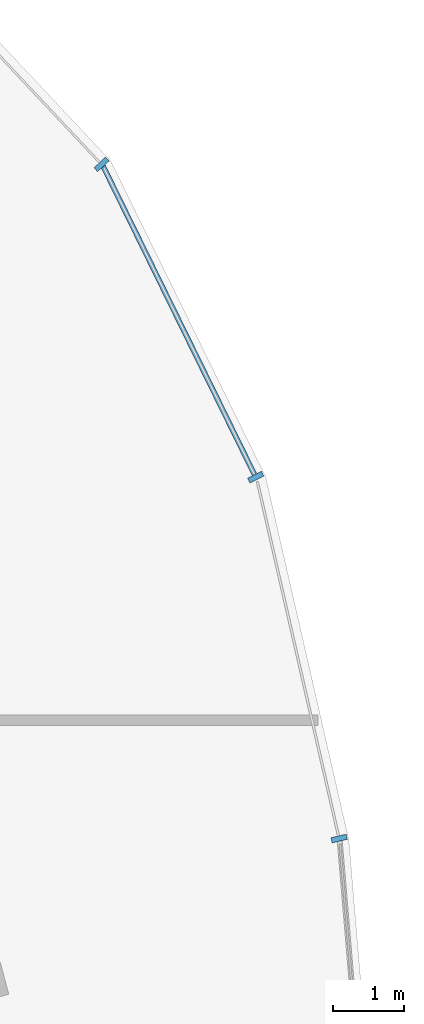
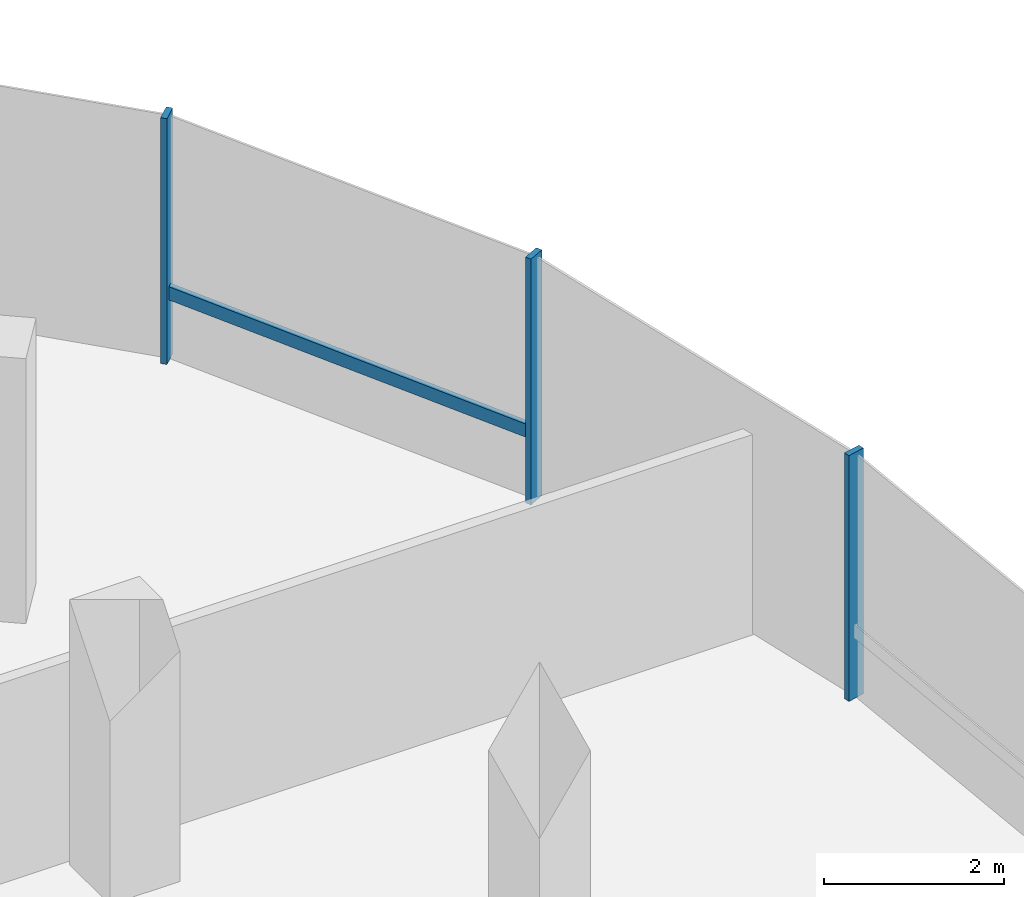
# One storey, part 11 of 25: 4 members, 1 element without a shape of its own.
"""IFC4 building model written with IfcOpenShell, lengths in metres."""

import ifcopenshell
import ifcopenshell.guid

model = None  # the IFC model being written
_history = None  # IfcOwnerHistory: only IFC2X3 demands one
_inside = {}  # id of a spatial element -> (the spatial element, [elements in it])
_under = {}  # id of a project, library or spatial element -> (it, [spatial elements below it])
_declared = {}  # id of a project -> (the project, [libraries it declares])
_typed = {}  # id of a type object -> (the type object, [elements of that type])
_made_of = {}  # id of a material, layer set ... -> (it, [elements and type objects made of it])


def new_model(schema):
    """Start an empty IFC model of exactly this schema.

    Asked for "IFC4X3", IfcOpenShell would pick the latest addendum, in which some entities
    have other attributes; the version numbers below select the first issue.
    IFC2X3 requires an IfcOwnerHistory on every rooted entity: one is made here for all.
    """
    global model, _history
    if schema == "IFC4X3":
        model = ifcopenshell.file(schema_version=(4, 3, 0, 0))
    else:
        model = ifcopenshell.file(schema=schema)
    _inside.clear()
    _under.clear()
    _declared.clear()
    _typed.clear()
    _made_of.clear()
    _history = None
    if model.schema == "IFC2X3":
        org = make("IfcOrganization", Name="unknown")
        user = make(
            "IfcPersonAndOrganization",
            ThePerson=make("IfcPerson", FamilyName="unknown"),
            TheOrganization=org,
        )
        app = make(
            "IfcApplication",
            ApplicationDeveloper=org,
            Version="unknown",
            ApplicationFullName="unknown",
            ApplicationIdentifier="unknown",
        )
        _history = make(
            "IfcOwnerHistory",
            OwningUser=user,
            OwningApplication=app,
            ChangeAction="ADDED",
            CreationDate=0,
        )
    return model


def make(cls, **values):
    """One entity of the class cls with the attributes given. An attribute that is None is left unset."""
    return model.create_entity(
        cls, **{name: value for name, value in values.items() if value is not None}
    )


def rooted(cls, **values):
    """An entity with a GlobalId (a new one), such as an element, a storey or a relation."""
    return make(cls, GlobalId=ifcopenshell.guid.new(), OwnerHistory=_history, **values)


def si_unit(unit_type, name, prefix=None):
    """IfcSIUnit, for example si_unit("LENGTHUNIT", "METRE", prefix="MILLI")."""
    return make("IfcSIUnit", UnitType=unit_type, Prefix=prefix, Name=name)


def assignment(units):
    """IfcUnitAssignment: the units of a project."""
    return None if units is None else make("IfcUnitAssignment", Units=units)


def point(xyz):
    """IfcCartesianPoint."""
    return None if xyz is None else make("IfcCartesianPoint", Coordinates=xyz)


def direction(xyz):
    """IfcDirection."""
    return None if xyz is None else make("IfcDirection", DirectionRatios=xyz)


def frame(location, z_axis=None, x_axis=None):
    """IfcAxis2Placement3D, a coordinate frame: its origin and axes. An axis left out is left unset."""
    return make(
        "IfcAxis2Placement3D",
        Location=point(location),
        Axis=direction(z_axis),
        RefDirection=direction(x_axis),
    )


def frame_2d(location, x_axis=None):
    """IfcAxis2Placement2D, a coordinate frame in the plane: its origin and x axis."""
    return make(
        "IfcAxis2Placement2D", Location=point(location), RefDirection=direction(x_axis)
    )


def origin():
    """The frame at (0, 0, 0) with its axes left unset."""
    return frame((0.0, 0.0, 0.0))


def origin_2d():
    """The frame at (0, 0) in the plane with its x axis left unset."""
    return frame_2d((0.0, 0.0))


def place(relative_to, where):
    """IfcLocalPlacement: puts the frame where relative to a parent placement (None: the world)."""
    return make(
        "IfcLocalPlacement", PlacementRelTo=relative_to, RelativePlacement=where
    )


def context(
    kind, dimensions, precision=None, world=None, true_north=None, identifier=None
):
    """IfcGeometricRepresentationContext, for example the 3D "Model" context."""
    return make(
        "IfcGeometricRepresentationContext",
        ContextIdentifier=identifier,
        ContextType=kind,
        CoordinateSpaceDimension=dimensions,
        Precision=precision,
        WorldCoordinateSystem=world,
        TrueNorth=true_north,
    )


def subcontext(parent, identifier, kind, view, scale=None):
    """IfcGeometricRepresentationSubContext, for example "Body" below "Model"."""
    return make(
        "IfcGeometricRepresentationSubContext",
        ContextIdentifier=identifier,
        ContextType=kind,
        ParentContext=parent,
        TargetScale=scale,
        TargetView=view,
    )


def project(units=None, contexts=None):
    """IfcProject with its units and contexts."""
    return rooted(
        "IfcProject",
        Name="project",
        RepresentationContexts=contexts,
        UnitsInContext=assignment(units),
    )


def spatial(cls, under=None, at=None, **own):
    """A site, building, storey or space (cls), placed at a placement, below another one or the project."""
    s = rooted(cls, ObjectPlacement=at, **own)
    if under is not None:
        _under.setdefault(under.id(), (under, []))[1].append(s)
    return s


def profile(cls, at=None, kind="AREA", **sizes):
    """A parametric profile (cls). Its sizes go by their IFC names, for example OverallWidth=200.0."""
    return make(cls, ProfileType=kind, Position=at, **sizes)


def rectangle(**sizes):
    """IfcRectangleProfileDef."""
    return profile("IfcRectangleProfileDef", **sizes)


def extrude(swept, where, along, depth):
    """IfcExtrudedAreaSolid: the profile swept, set in the frame where, extruded along a direction by depth."""
    return make(
        "IfcExtrudedAreaSolid",
        SweptArea=swept,
        Position=where,
        ExtrudedDirection=direction(along),
        Depth=depth,
    )


def shape(context_of_items, identifier, shape_type, items):
    """IfcShapeRepresentation: the items that make up one representation, for example the "Body"."""
    return make(
        "IfcShapeRepresentation",
        ContextOfItems=context_of_items,
        RepresentationIdentifier=identifier,
        RepresentationType=shape_type,
        Items=items,
    )


def material(Name=None, Category=None):
    """IfcMaterial."""
    return make("IfcMaterial", Name=Name, Category=Category)


def material_profile(
    of_material, cross_section, Name=None, Category=None, Priority=None
):
    """IfcMaterialProfile: a cross section and its material."""
    return make(
        "IfcMaterialProfile",
        Name=Name,
        Material=of_material,
        Profile=cross_section,
        Priority=Priority,
        Category=Category,
    )


def profile_set(profiles, Name=None, composite=None):
    """IfcMaterialProfileSet."""
    return make(
        "IfcMaterialProfileSet",
        Name=Name,
        MaterialProfiles=profiles,
        CompositeProfile=composite,
    )


def made_of(thing, what):
    """Note that an element or type object is made of a material, layer set ...; save() writes the relation."""
    if what is not None:
        _made_of.setdefault(what.id(), (what, []))[1].append(thing)
    return thing


def type_object(cls, material=None, **own):
    """A type object (cls), such as IfcWallType, which elements share."""
    return made_of(rooted(cls, **own), material)


def element(
    cls,
    number,
    at=None,
    inside=None,
    cuts=None,
    type_object=None,
    material=None,
    context=None,
    identifier="Body",
    shape_type=None,
    held_by="IfcProductDefinitionShape",
    body=None,
    shapes=None,
    **own,
):
    """One element of the class cls, such as IfcWall. Its Tag is "e" and its number.

    at: its placement. inside: the storey or other place that contains it. cuts: it is an
    opening in that element (IfcRelVoidsElement). A single representation is given by context,
    identifier, shape_type and body (its items); several are given by shapes. held_by: the class
    of the entity that holds the representations. save() writes the other relations.
    """
    e = rooted(cls, Tag="e%d" % number, ObjectPlacement=at, **own)
    if body is not None:
        shapes = [shape(context, identifier, shape_type, body)]
    if shapes is not None:
        e.Representation = make(held_by, Representations=shapes)
    if inside is not None:
        _inside.setdefault(inside.id(), (inside, []))[1].append(e)
    if cuts is not None:
        rooted(
            "IfcRelVoidsElement", RelatingBuildingElement=cuts, RelatedOpeningElement=e
        )
    if type_object is not None:
        _typed.setdefault(type_object.id(), (type_object, []))[1].append(e)
    return made_of(e, material)


def aggregate(whole, parts):
    """IfcRelAggregates: a whole, such as a stair, and the parts it consists of."""
    return rooted("IfcRelAggregates", RelatingObject=whole, RelatedObjects=parts)


def save(model, path):
    """Write the relations noted so far, then the file.

    IfcRelAggregates (storeys below a building ...), IfcRelContainedInSpatialStructure (elements
    in a storey), IfcRelDefinesByType, IfcRelAssociatesMaterial and IfcRelDeclares: one each for
    every whole, place, type object, material and project.
    """
    for whole, parts in _under.values():
        aggregate(whole, parts)
    for where, things in _inside.values():
        rooted(
            "IfcRelContainedInSpatialStructure",
            RelatedElements=things,
            RelatingStructure=where,
        )
    for kind, things in _typed.values():
        rooted("IfcRelDefinesByType", RelatedObjects=things, RelatingType=kind)
    for what, things in _made_of.values():
        rooted("IfcRelAssociatesMaterial", RelatedObjects=things, RelatingMaterial=what)
    for by, libraries in _declared.values():
        rooted("IfcRelDeclares", RelatingContext=by, RelatedDefinitions=libraries)
    model.write(path)


model = new_model("IFC4")

# Units and contexts
model_context = context("Model", 3, precision=1e-05, world=origin(), true_north=direction((0.0, 1.0)))
body_context = subcontext(model_context, "Body", "Model", "MODEL_VIEW")
ifc_project = project(units=[si_unit("LENGTHUNIT", "METRE"), si_unit("AREAUNIT", "SQUARE_METRE"), si_unit("VOLUMEUNIT", "CUBIC_METRE"), si_unit("PLANEANGLEUNIT", "RADIAN"), si_unit("MASSUNIT", "GRAM", prefix="KILO"), si_unit("THERMODYNAMICTEMPERATUREUNIT", "KELVIN"), si_unit("POWERUNIT", "WATT")], contexts=[model_context])

# Site, building, storey
site_placement = place(None, origin())
site = spatial("IfcSite", under=ifc_project, at=site_placement, CompositionType="ELEMENT")
building_placement = place(site_placement, origin())
building = spatial("IfcBuilding", under=site, at=building_placement, Name="Cundina Bronze Exchange", CompositionType="ELEMENT")
storey_placement = place(building_placement, frame((0.0, 0.0, 257.60009765625)))
storey = spatial("IfcBuildingStorey", under=building, at=storey_placement, Name="L68", CompositionType="ELEMENT", Elevation=257.60009765625)

# Curtain wall, members
ifc_material = material(Name="Anodised Bronze Aluminium 6063-T6", Category="aluminium")
curtain_wall_type = type_object("IfcCurtainWallType", Name="CWS-SKG-BRG", PredefinedType="NOTDEFINED", material=ifc_material)
curtain_wall_placement = place(storey_placement, origin())
curtain_wall = element("IfcCurtainWall", 1, at=curtain_wall_placement, inside=storey, type_object=curtain_wall_type, Name="L68 CW-06 Curtain Wall Run CWR-L68-E1", PredefinedType="NOTDEFINED")
ifc_material_profile_1 = material_profile(ifc_material, rectangle(XDim=0.074951171875, YDim=0.219970703125, at=origin_2d()), Name="AL75X220", Category="aluminium")
ifc_profile_set_1 = profile_set([ifc_material_profile_1], Name="Anodised Bronze Aluminium 6063-T6")
member_type_1 = type_object("IfcMemberType", Name="CWM-MUL-220", PredefinedType="MULLION", material=ifc_profile_set_1)
member_1_placement = place(storey_placement, frame((50.544677734375, 8.4111328125, 0.0), z_axis=(0.0, 0.0, 1.0), x_axis=(-0.223250116011, 0.974761194191, 0.0)))
member_1 = element("IfcMember", 2, at=member_1_placement, type_object=member_type_1, Name="CW-06 Mullion 2", PredefinedType="MULLION", context=body_context, shape_type="SweptSolid", body=[
    extrude(rectangle(XDim=0.074951171875, YDim=0.219970703125, at=origin_2d()), origin(), (0.0, 0.0, 1.0), 3.33984375),
])
member_2_placement = place(storey_placement, frame((49.369140625, 13.50390625, 0.0), z_axis=(0.0, 0.0, 1.0), x_axis=(-0.440566004113, 0.897720221461, 0.0)))
member_2 = element("IfcMember", 3, at=member_2_placement, type_object=member_type_1, Name="CW-06 Mullion 3", PredefinedType="MULLION", context=body_context, shape_type="SweptSolid", body=[
    extrude(rectangle(XDim=0.074951171875, YDim=0.219970703125, at=origin_2d()), origin(), (0.0, 0.0, 1.0), 3.33984375),
])
member_3_placement = place(storey_placement, frame((47.1962890625, 17.910400390625, 0.0), z_axis=(0.0, 0.0, 1.0), x_axis=(-0.684292606175, 0.729207535023, 0.0)))
member_3 = element("IfcMember", 4, at=member_3_placement, type_object=member_type_1, Name="CW-06 Mullion 4", PredefinedType="MULLION", context=body_context, shape_type="SweptSolid", body=[
    extrude(rectangle(XDim=0.074951171875, YDim=0.219970703125, at=origin_2d()), origin(), (0.0, 0.0, 1.0), 3.33984375),
])
ifc_material_profile_2 = material_profile(ifc_material, rectangle(XDim=0.070068359375, YDim=0.179931640625, at=origin_2d()), Name="AL70X180", Category="aluminium")
ifc_profile_set_2 = profile_set([ifc_material_profile_2], Name="Anodised Bronze Aluminium 6063-T6")
member_type_2 = type_object("IfcMemberType", Name="CWM-TRN-180", PredefinedType="USERDEFINED", material=ifc_profile_set_2)
member_4_placement = place(storey_placement, frame((49.35107421875, 13.541015625, 0.919921875), z_axis=(-0.440554408939, 0.897725911826, 0.0), x_axis=(-0.897725911826, -0.440554408939, 0.0)))
member_4 = element("IfcMember", 5, at=member_4_placement, type_object=member_type_2, Name="CW-06 Spandrel Transom 3", ObjectType="TRANSOM", PredefinedType="USERDEFINED", context=body_context, shape_type="SweptSolid", body=[
    extrude(rectangle(XDim=0.070068359375, YDim=0.179931640625, at=origin_2d()), origin(), (0.0, 0.0, 1.0), 4.848388671875),
])
aggregate(curtain_wall, [member_1, member_2, member_4, member_3])

save(model, "model.ifc")
